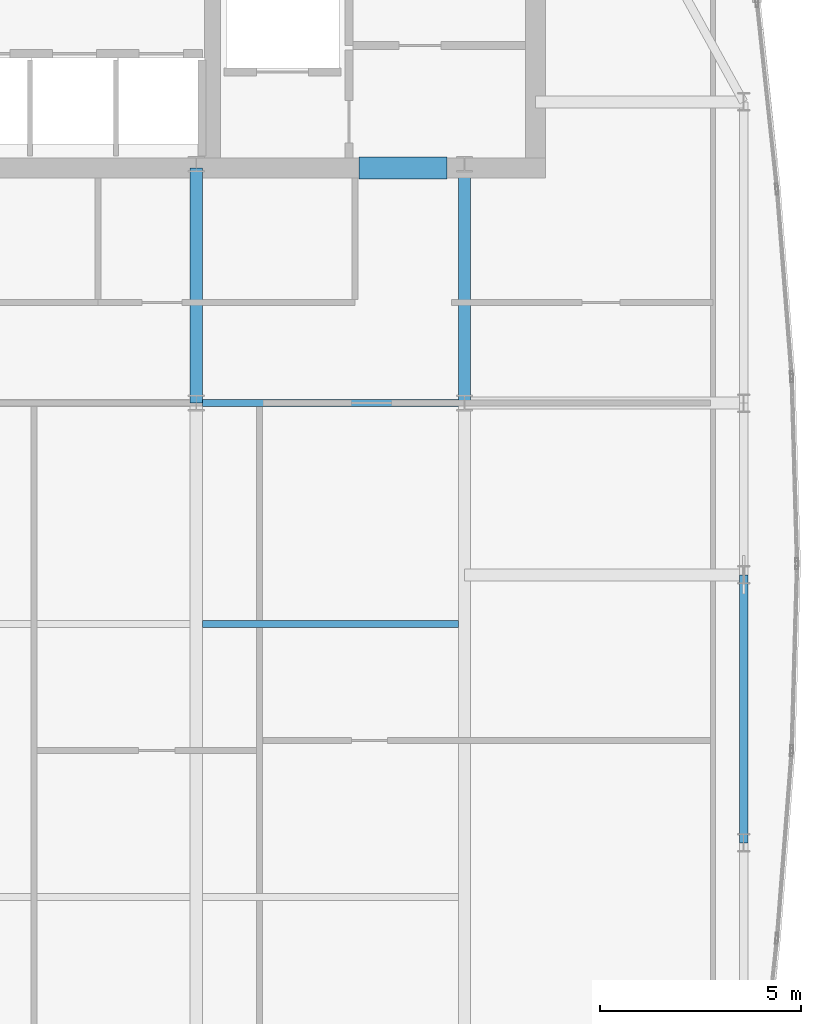
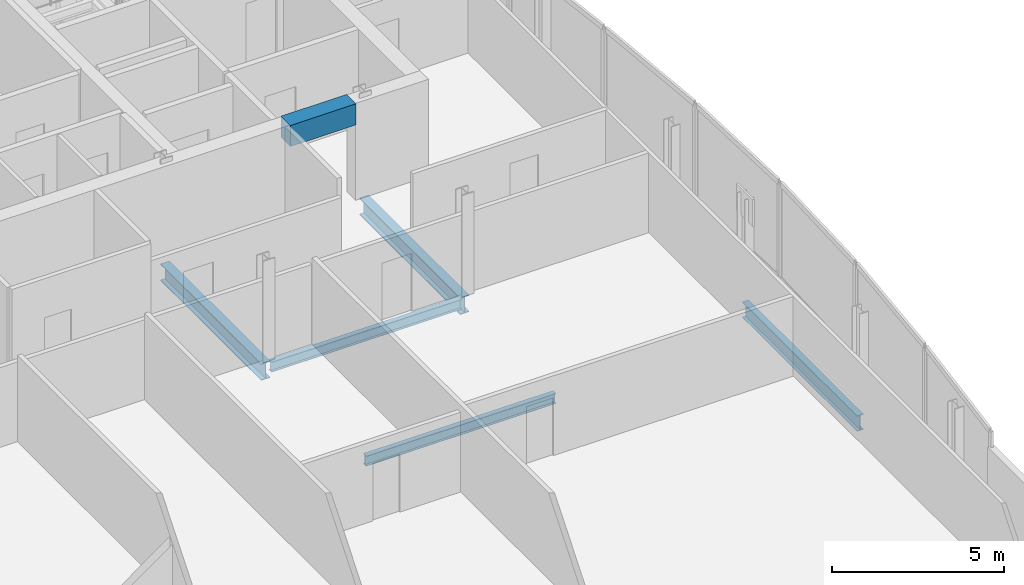
# One storey, part 16 of 27: 6 beams.
"""IFC4 building model written with IfcOpenShell, lengths in metres."""

from ifc_helpers import new_model, si_unit, direction, frame, origin, origin_2d, place, context, subcontext, project, spatial, rectangle, i_section, extrude, material, material_profile, profile_set, type_object, element, save


model = new_model("IFC4")

# Units and contexts
model_context = context("Model", 3, precision=1e-05, world=origin(), true_north=direction((0.0, 1.0)))
body_context = subcontext(model_context, "Body", "Model", "MODEL_VIEW")
ifc_project = project(units=[si_unit("LENGTHUNIT", "METRE"), si_unit("AREAUNIT", "SQUARE_METRE"), si_unit("VOLUMEUNIT", "CUBIC_METRE"), si_unit("PLANEANGLEUNIT", "RADIAN"), si_unit("MASSUNIT", "GRAM", prefix="KILO")], contexts=[model_context])

# Site, building, storey
site_placement = place(None, origin())
site = spatial("IfcSite", under=ifc_project, at=site_placement, CompositionType="ELEMENT")
building_placement = place(site_placement, origin())
building = spatial("IfcBuilding", under=site, at=building_placement, Name="Khoronbel Lancet Exchange", CompositionType="ELEMENT")
storey_placement = place(building_placement, frame((0.0, 0.0, 343.39990234375)))
storey = spatial("IfcBuildingStorey", under=building, at=storey_placement, Name="L89", CompositionType="ELEMENT", Elevation=343.39990234375)

# Beams
ifc_material_1 = material(Name="Steel S355", Category="steel")
ifc_material_profile_1 = material_profile(ifc_material_1, i_section(OverallWidth=0.300048828125, OverallDepth=0.60009765625, WebThickness=0.015380859375, FlangeThickness=0.030029296875, at=origin_2d()), Name="HEB 600")
ifc_profile_set_1 = profile_set([ifc_material_profile_1], Name="Steel S355")
beam_type_1 = type_object("IfcBeamType", Name="BM-BG5", PredefinedType="BEAM", material=ifc_profile_set_1)
for number, where, z_axis, x_axis, name in (
    (1, (48.0, 35.699951171875, -0.4599609375), (0.0, 1.0, 0.0), (-1.0, 0.0, 0.0), "Level L89 spine tie girder GN5"),
    (2, (54.675048828125, 35.699951171875, -0.4599609375), (0.0, 1.0, 0.0), (-1.0, 0.0, 0.0), "Level L89 spine tie girder GN6"),
):
    element("IfcBeam", number, at=place(storey_placement, frame(where, z_axis=z_axis, x_axis=x_axis)), inside=storey, type_object=beam_type_1, Name=name, PredefinedType="BEAM", context=body_context, shape_type="SweptSolid", body=[
        extrude(i_section(OverallWidth=0.300048828125, OverallDepth=0.60009765625, WebThickness=0.015380859375, FlangeThickness=0.030029296875, at=origin_2d()), origin(), (0.0, 0.0, 1.0), 5.85009765625),
    ])
ifc_material_profile_2 = material_profile(ifc_material_1, i_section(OverallWidth=0.169921875, OverallDepth=0.360107421875, WebThickness=0.008056640625, FlangeThickness=0.0126953125, at=origin_2d()), Name="IPE 360")
ifc_profile_set_2 = profile_set([ifc_material_profile_2], Name="Steel S355")
beam_type_2 = type_object("IfcBeamType", Name="BM-BJ6", PredefinedType="JOIST", material=ifc_profile_set_2)
for number, where, z_axis, x_axis, name in (
    (3, (48.14990234375, 30.199951171875, -0.33984375), (1.0, 0.0, 0.0), (0.0, 1.0, 0.0), "Level L89 secondary composite joist J09"),
    (4, (48.14990234375, 35.699951171875, -0.33984375), (1.0, 0.0, 0.0), (0.0, 1.0, 0.0), "Level L89 secondary composite joist J12"),
):
    element("IfcBeam", number, at=place(storey_placement, frame(where, z_axis=z_axis, x_axis=x_axis)), inside=storey, type_object=beam_type_2, Name=name, PredefinedType="JOIST", context=body_context, shape_type="SweptSolid", body=[
        extrude(i_section(OverallWidth=0.169921875, OverallDepth=0.360107421875, WebThickness=0.008056640625, FlangeThickness=0.0126953125, at=origin_2d()), origin(), (0.0, 0.0, 1.0), 6.375),
    ])
ifc_material_2 = material(Name="Concrete C60/75", Category="concrete")
ifc_material_profile_3 = material_profile(ifc_material_2, rectangle(XDim=0.550048828125, YDim=0.75, at=origin_2d()), Name="RC 550x750")
ifc_profile_set_3 = profile_set([ifc_material_profile_3], Name="Concrete C60/75")
beam_type_3 = type_object("IfcBeamType", Name="BM-BL2", PredefinedType="LINTEL", material=ifc_profile_set_3)
beam_1_placement = place(storey_placement, frame((52.050048828125, 41.550048828125, 3.065185546875), z_axis=(1.0, 0.0, 0.0), x_axis=(0.0, 1.0, 0.0)))
element("IfcBeam", 5, at=beam_1_placement, inside=storey, type_object=beam_type_3, Name="Level L89 rear core coupling lintel L4", PredefinedType="LINTEL", context=body_context, shape_type="SweptSolid", body=[
    extrude(rectangle(XDim=0.550048828125, YDim=0.75, at=origin_2d()), origin(), (0.0, 0.0, 1.0), 2.199951171875),
])
ifc_material_profile_4 = material_profile(ifc_material_1, i_section(OverallWidth=0.2099609375, OverallDepth=0.550048828125, WebThickness=0.010986328125, FlangeThickness=0.01708984375, at=origin_2d()), Name="IPE 550")
ifc_profile_set_4 = profile_set([ifc_material_profile_4], Name="Steel S355")
beam_type_4 = type_object("IfcBeamType", Name="BM-BSP3", PredefinedType="SPANDREL", material=ifc_profile_set_4)
beam_2_placement = place(storey_placement, frame((61.6298828125, 24.75, -0.434814453125), z_axis=(0.0, 1.0, 0.0), x_axis=(-1.0, 0.0, 0.0)))
element("IfcBeam", 6, at=beam_2_placement, inside=storey, type_object=beam_type_4, Name="Level L89 perimeter spandrel beam SP10", PredefinedType="SPANDREL", context=body_context, shape_type="SweptSolid", body=[
    extrude(i_section(OverallWidth=0.2099609375, OverallDepth=0.550048828125, WebThickness=0.010986328125, FlangeThickness=0.01708984375, at=origin_2d()), origin(), (0.0, 0.0, 1.0), 6.675048828125),
])

save(model, "model.ifc")
